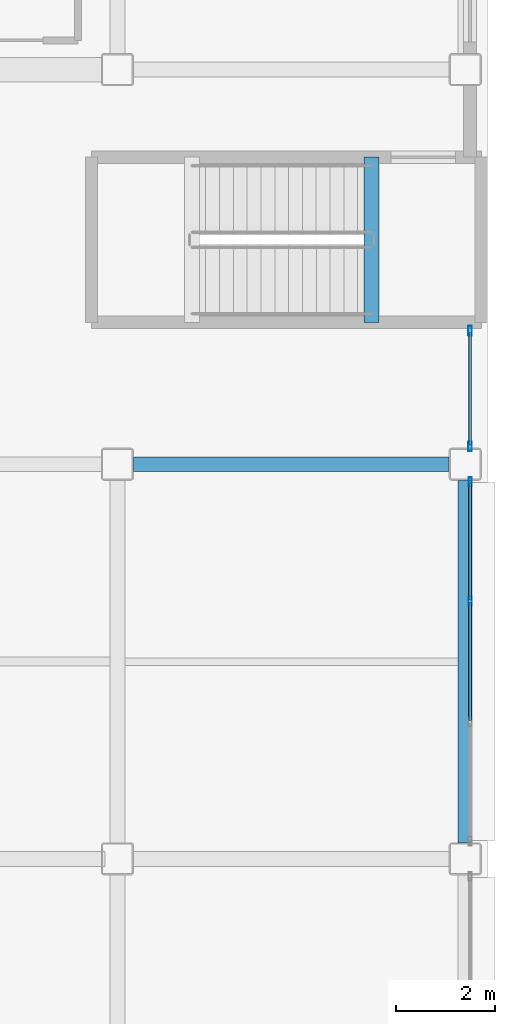
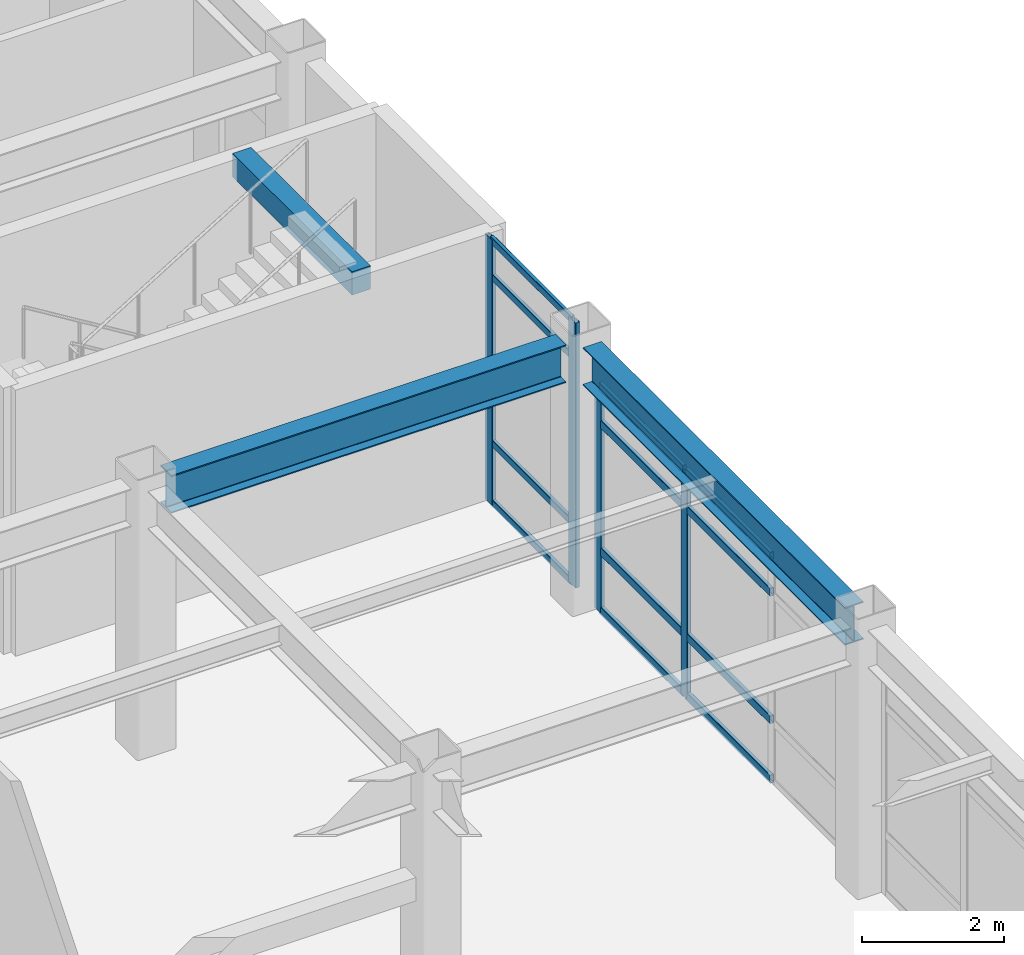
# One storey, part 54 of 93: 16 members, 3 beams, 2 elements without a shape of their own.
"""IFC4 building model written with IfcOpenShell, lengths in metres."""

from ifc_helpers import new_model, si_unit, direction, frame, origin, origin_2d, place, context, subcontext, project, spatial, rectangle, hollow_rectangle, i_section, extrude, material, layer, layer_set, material_profile, profile_set, type_object, element, aggregate, save


model = new_model("IFC4")

# Units and contexts
model_context = context("Model", 3, precision=1e-05, world=origin(), true_north=direction((0.0, 1.0)))
body_context = subcontext(model_context, "Body", "Model", "MODEL_VIEW")
ifc_project = project(units=[si_unit("LENGTHUNIT", "METRE"), si_unit("AREAUNIT", "SQUARE_METRE"), si_unit("VOLUMEUNIT", "CUBIC_METRE"), si_unit("PLANEANGLEUNIT", "RADIAN"), si_unit("MASSUNIT", "GRAM", prefix="KILO")], contexts=[model_context])

# Site, building, storey
site_placement = place(None, origin())
site = spatial("IfcSite", under=ifc_project, at=site_placement, CompositionType="ELEMENT")
building_placement = place(site_placement, origin())
building = spatial("IfcBuilding", under=site, at=building_placement, Name="Kazehara Bluff Congress Hotel", CompositionType="ELEMENT")
storey_placement = place(building_placement, frame((0.0, 0.0, 15.0)))
storey = spatial("IfcBuildingStorey", under=building, at=storey_placement, Name="L03", CompositionType="ELEMENT", Elevation=15.0)

# Curtain wall, members
ifc_material_1 = material(Name="Anodised aluminium", Category="aluminium")
ifc_layer_1 = layer(ifc_material_1, 0.159912109375)
ifc_layer_set_1 = layer_set([ifc_layer_1], Name="Anodised aluminium")
curtain_wall_type_1 = type_object("IfcCurtainWallType", Name="TP-CW-56", PredefinedType="NOTDEFINED", material=ifc_layer_set_1)
curtain_wall_1_placement = place(storey_placement, origin())
curtain_wall_1 = element("IfcCurtainWall", 1, at=curtain_wall_1_placement, inside=storey, type_object=curtain_wall_type_1, Name="L03 curtain wall CW-56 CW-ENC-V5-L03-16765-1200", PredefinedType="NOTDEFINED")
ifc_material_2 = material(Name="Anodised aluminium", Category="aluminium")
ifc_material_profile_1 = material_profile(ifc_material_2, hollow_rectangle(XDim=0.06494140625, YDim=0.179931640625, WallThickness=0.00390625, InnerFilletRadius=0.00390625, OuterFilletRadius=0.008056640625, at=origin_2d()))
ifc_profile_set_1 = profile_set([ifc_material_profile_1], Name="Anodised aluminium")
member_type_1 = type_object("IfcMemberType", Name="TP-CWM-02", PredefinedType="MULLION", material=ifc_profile_set_1)
member_1_placement = place(storey_placement, frame((167.64990234375, 15.642578125, 0.0), z_axis=(0.0, 0.0, 1.0), x_axis=(1.0, 0.0, 0.0)))
member_1 = element("IfcMember", 2, at=member_1_placement, type_object=member_type_1, Name="CW-56 mullion 1", PredefinedType="MULLION", context=body_context, shape_type="SweptSolid", body=[
    extrude(hollow_rectangle(XDim=0.06494140625, YDim=0.179931640625, WallThickness=0.00390625, InnerFilletRadius=0.00390625, OuterFilletRadius=0.008056640625, at=origin_2d()), origin(), (0.0, 0.0, 1.0), 3.885009765625),
])
member_2_placement = place(storey_placement, frame((167.64990234375, 13.22509765625, 0.0), z_axis=(0.0, 0.0, 1.0), x_axis=(1.0, 0.0, 0.0)))
member_2 = element("IfcMember", 3, at=member_2_placement, type_object=member_type_1, Name="CW-56 mullion 2", PredefinedType="MULLION", context=body_context, shape_type="SweptSolid", body=[
    extrude(hollow_rectangle(XDim=0.06494140625, YDim=0.179931640625, WallThickness=0.00390625, InnerFilletRadius=0.00390625, OuterFilletRadius=0.008056640625, at=origin_2d()), origin(), (0.0, 0.0, 1.0), 3.885009765625),
])

ifc_material_3 = material(Name="Anodised aluminium", Category="aluminium")
ifc_layer_2 = layer(ifc_material_3, 0.159912109375)
ifc_layer_set_2 = layer_set([ifc_layer_2], Name="Anodised aluminium")
curtain_wall_type_2 = type_object("IfcCurtainWallType", Name="TP-CW-146", PredefinedType="NOTDEFINED", material=ifc_layer_set_2)
curtain_wall_2_placement = place(storey_placement, origin())
curtain_wall_2 = element("IfcCurtainWall", 4, at=curtain_wall_2_placement, inside=storey, type_object=curtain_wall_type_2, Name="L03 curtain wall CW-146 CW-ENC-V5-L03-16765-1753", PredefinedType="NOTDEFINED")
ifc_material_4 = material(Name="Anodised aluminium", Category="aluminium")
ifc_material_profile_2 = material_profile(ifc_material_4, hollow_rectangle(XDim=0.070068359375, YDim=0.199951171875, WallThickness=0.0048828125, InnerFilletRadius=0.0048828125, OuterFilletRadius=0.010009765625, at=origin_2d()))
ifc_profile_set_2 = profile_set([ifc_material_profile_2], Name="Anodised aluminium")
member_type_2 = type_object("IfcMemberType", Name="TP-CWM-03", PredefinedType="MULLION", material=ifc_profile_set_2)
member_3_placement = place(storey_placement, frame((167.64990234375, 18.705078125, 0.0), z_axis=(0.0, 0.0, 1.0), x_axis=(1.0, 0.0, 0.0)))
member_3 = element("IfcMember", 5, at=member_3_placement, type_object=member_type_2, Name="CW-146 mullion 1", PredefinedType="MULLION", context=body_context, shape_type="SweptSolid", body=[
    extrude(hollow_rectangle(XDim=0.070068359375, YDim=0.199951171875, WallThickness=0.0048828125, InnerFilletRadius=0.0048828125, OuterFilletRadius=0.010009765625, at=origin_2d()), origin(), (0.0, 0.0, 1.0), 4.544921875),
])
member_4_placement = place(storey_placement, frame((167.64990234375, 16.360107421875, 0.0), z_axis=(0.0, 0.0, 1.0), x_axis=(1.0, 0.0, 0.0)))
member_4 = element("IfcMember", 6, at=member_4_placement, type_object=member_type_2, Name="CW-146 mullion 2", PredefinedType="MULLION", context=body_context, shape_type="SweptSolid", body=[
    extrude(hollow_rectangle(XDim=0.070068359375, YDim=0.199951171875, WallThickness=0.0048828125, InnerFilletRadius=0.0048828125, OuterFilletRadius=0.010009765625, at=origin_2d()), origin(), (0.0, 0.0, 1.0), 4.544921875),
])
ifc_material_5 = material(Name="Anodised aluminium", Category="aluminium")
ifc_material_profile_3 = material_profile(ifc_material_5, hollow_rectangle(XDim=0.06005859375, YDim=0.1201171875, WallThickness=0.00390625, InnerFilletRadius=0.00390625, OuterFilletRadius=0.008056640625, at=origin_2d()))
ifc_profile_set_3 = profile_set([ifc_material_profile_3], Name="Anodised aluminium")
member_type_3 = type_object("IfcMemberType", Name="TP-CWT-01", PredefinedType="USERDEFINED", material=ifc_profile_set_3)
member_5_placement = place(storey_placement, frame((167.64990234375, 18.669921875, 0.030029296875), z_axis=(0.0, -1.0, 0.0), x_axis=(1.0, 0.0, 0.0)))
member_5 = element("IfcMember", 7, at=member_5_placement, type_object=member_type_3, Name="CW-146 transom 1.1", ObjectType="TRANSOM", PredefinedType="USERDEFINED", context=body_context, shape_type="SweptSolid", body=[
    extrude(hollow_rectangle(XDim=0.06005859375, YDim=0.1201171875, WallThickness=0.00390625, InnerFilletRadius=0.00390625, OuterFilletRadius=0.008056640625, at=origin_2d()), origin(), (0.0, 0.0, 1.0), 2.27490234375),
])
member_6_placement = place(storey_placement, frame((167.64990234375, 18.669921875, 1.050048828125), z_axis=(0.0, -1.0, 0.0), x_axis=(1.0, 0.0, 0.0)))
member_6 = element("IfcMember", 8, at=member_6_placement, type_object=member_type_3, Name="CW-146 transom 1.2", ObjectType="TRANSOM", PredefinedType="USERDEFINED", context=body_context, shape_type="SweptSolid", body=[
    extrude(hollow_rectangle(XDim=0.06005859375, YDim=0.1201171875, WallThickness=0.00390625, InnerFilletRadius=0.00390625, OuterFilletRadius=0.008056640625, at=origin_2d()), origin(), (0.0, 0.0, 1.0), 2.27490234375),
])
member_7_placement = place(storey_placement, frame((167.64990234375, 18.669921875, 3.89501953125), z_axis=(0.0, -1.0, 0.0), x_axis=(1.0, 0.0, 0.0)))
member_7 = element("IfcMember", 9, at=member_7_placement, type_object=member_type_3, Name="CW-146 transom 1.3", ObjectType="TRANSOM", PredefinedType="USERDEFINED", context=body_context, shape_type="SweptSolid", body=[
    extrude(hollow_rectangle(XDim=0.06005859375, YDim=0.1201171875, WallThickness=0.00390625, InnerFilletRadius=0.00390625, OuterFilletRadius=0.008056640625, at=origin_2d()), origin(), (0.0, 0.0, 1.0), 2.27490234375),
])
member_8_placement = place(storey_placement, frame((167.64990234375, 18.669921875, 4.514892578125), z_axis=(0.0, -1.0, 0.0), x_axis=(1.0, 0.0, 0.0)))
member_8 = element("IfcMember", 10, at=member_8_placement, type_object=member_type_3, Name="CW-146 transom 1.4", ObjectType="TRANSOM", PredefinedType="USERDEFINED", context=body_context, shape_type="SweptSolid", body=[
    extrude(hollow_rectangle(XDim=0.06005859375, YDim=0.1201171875, WallThickness=0.00390625, InnerFilletRadius=0.00390625, OuterFilletRadius=0.008056640625, at=origin_2d()), origin(), (0.0, 0.0, 1.0), 2.27490234375),
])
aggregate(curtain_wall_2, [member_3, member_4, member_5, member_6, member_7, member_8])

# Member
ifc_material_6 = material(Name="Anodised aluminium", Category="aluminium")
ifc_material_profile_4 = material_profile(ifc_material_6, hollow_rectangle(XDim=0.06494140625, YDim=0.139892578125, WallThickness=0.00390625, InnerFilletRadius=0.00390625, OuterFilletRadius=0.008056640625, at=origin_2d()))
ifc_profile_set_4 = profile_set([ifc_material_profile_4], Name="Anodised aluminium")
member_type_4 = type_object("IfcMemberType", Name="TP-CWT-02", PredefinedType="USERDEFINED", material=ifc_profile_set_4)
member_9_placement = place(storey_placement, frame((167.64990234375, 15.610107421875, 0.032470703125), z_axis=(0.0, -1.0, 0.0), x_axis=(1.0, 0.0, 0.0)))
member_9 = element("IfcMember", 11, at=member_9_placement, type_object=member_type_4, Name="CW-56 transom 1.1", ObjectType="TRANSOM", PredefinedType="USERDEFINED", context=body_context, shape_type="SweptSolid", body=[
    extrude(hollow_rectangle(XDim=0.06494140625, YDim=0.139892578125, WallThickness=0.00390625, InnerFilletRadius=0.00390625, OuterFilletRadius=0.008056640625, at=origin_2d()), origin(), (0.0, 0.0, 1.0), 2.3525390625),
])

member_10_placement = place(storey_placement, frame((167.64990234375, 15.610107421875, 1.050048828125), z_axis=(0.0, -1.0, 0.0), x_axis=(1.0, 0.0, 0.0)))
member_10 = element("IfcMember", 12, at=member_10_placement, type_object=member_type_4, Name="CW-56 transom 1.2", ObjectType="TRANSOM", PredefinedType="USERDEFINED", context=body_context, shape_type="SweptSolid", body=[
    extrude(hollow_rectangle(XDim=0.06494140625, YDim=0.139892578125, WallThickness=0.00390625, InnerFilletRadius=0.00390625, OuterFilletRadius=0.008056640625, at=origin_2d()), origin(), (0.0, 0.0, 1.0), 2.3525390625),
])

member_11_placement = place(storey_placement, frame((167.64990234375, 15.610107421875, 3.235107421875), z_axis=(0.0, -1.0, 0.0), x_axis=(1.0, 0.0, 0.0)))
member_11 = element("IfcMember", 13, at=member_11_placement, type_object=member_type_4, Name="CW-56 transom 1.3", ObjectType="TRANSOM", PredefinedType="USERDEFINED", context=body_context, shape_type="SweptSolid", body=[
    extrude(hollow_rectangle(XDim=0.06494140625, YDim=0.139892578125, WallThickness=0.00390625, InnerFilletRadius=0.00390625, OuterFilletRadius=0.008056640625, at=origin_2d()), origin(), (0.0, 0.0, 1.0), 2.3525390625),
])

member_12_placement = place(storey_placement, frame((167.64990234375, 15.610107421875, 3.8525390625), z_axis=(0.0, -1.0, 0.0), x_axis=(1.0, 0.0, 0.0)))
member_12 = element("IfcMember", 14, at=member_12_placement, type_object=member_type_4, Name="CW-56 transom 1.4", ObjectType="TRANSOM", PredefinedType="USERDEFINED", context=body_context, shape_type="SweptSolid", body=[
    extrude(hollow_rectangle(XDim=0.06494140625, YDim=0.139892578125, WallThickness=0.00390625, InnerFilletRadius=0.00390625, OuterFilletRadius=0.008056640625, at=origin_2d()), origin(), (0.0, 0.0, 1.0), 2.3525390625),
])

member_13_placement = place(storey_placement, frame((167.64990234375, 13.1923828125, 0.032470703125), z_axis=(0.0, -1.0, 0.0), x_axis=(1.0, 0.0, 0.0)))
member_13 = element("IfcMember", 15, at=member_13_placement, type_object=member_type_4, Name="CW-56 transom 2.1", ObjectType="TRANSOM", PredefinedType="USERDEFINED", context=body_context, shape_type="SweptSolid", body=[
    extrude(hollow_rectangle(XDim=0.06494140625, YDim=0.139892578125, WallThickness=0.00390625, InnerFilletRadius=0.00390625, OuterFilletRadius=0.008056640625, at=origin_2d()), origin(), (0.0, 0.0, 1.0), 2.384765625),
])

member_14_placement = place(storey_placement, frame((167.64990234375, 13.1923828125, 1.050048828125), z_axis=(0.0, -1.0, 0.0), x_axis=(1.0, 0.0, 0.0)))
member_14 = element("IfcMember", 16, at=member_14_placement, type_object=member_type_4, Name="CW-56 transom 2.2", ObjectType="TRANSOM", PredefinedType="USERDEFINED", context=body_context, shape_type="SweptSolid", body=[
    extrude(hollow_rectangle(XDim=0.06494140625, YDim=0.139892578125, WallThickness=0.00390625, InnerFilletRadius=0.00390625, OuterFilletRadius=0.008056640625, at=origin_2d()), origin(), (0.0, 0.0, 1.0), 2.384765625),
])

member_15_placement = place(storey_placement, frame((167.64990234375, 13.1923828125, 3.235107421875), z_axis=(0.0, -1.0, 0.0), x_axis=(1.0, 0.0, 0.0)))
member_15 = element("IfcMember", 17, at=member_15_placement, type_object=member_type_4, Name="CW-56 transom 2.3", ObjectType="TRANSOM", PredefinedType="USERDEFINED", context=body_context, shape_type="SweptSolid", body=[
    extrude(hollow_rectangle(XDim=0.06494140625, YDim=0.139892578125, WallThickness=0.00390625, InnerFilletRadius=0.00390625, OuterFilletRadius=0.008056640625, at=origin_2d()), origin(), (0.0, 0.0, 1.0), 2.384765625),
])

member_16_placement = place(storey_placement, frame((167.64990234375, 13.1923828125, 3.8525390625), z_axis=(0.0, -1.0, 0.0), x_axis=(1.0, 0.0, 0.0)))
member_16 = element("IfcMember", 18, at=member_16_placement, type_object=member_type_4, Name="CW-56 transom 2.4", ObjectType="TRANSOM", PredefinedType="USERDEFINED", context=body_context, shape_type="SweptSolid", body=[
    extrude(hollow_rectangle(XDim=0.06494140625, YDim=0.139892578125, WallThickness=0.00390625, InnerFilletRadius=0.00390625, OuterFilletRadius=0.008056640625, at=origin_2d()), origin(), (0.0, 0.0, 1.0), 2.384765625),
])

aggregate(curtain_wall_1, [member_1, member_2, member_9, member_10, member_11, member_12, member_13, member_14, member_15, member_16])

# Beams
ifc_material_7 = material(Name="Steel SN490B", Category="steel")
ifc_material_profile_5 = material_profile(ifc_material_7, i_section(OverallWidth=0.300048828125, OverallDepth=0.64990234375, WebThickness=0.011962890625, FlangeThickness=0.02001953125, FilletRadius=0.012939453125, at=origin_2d()))
ifc_profile_set_5 = profile_set([ifc_material_profile_5], Name="Steel SN490B")
beam_type_1 = type_object("IfcBeamType", Name="TP-G-03", PredefinedType="BEAM", material=ifc_profile_set_5)
beam_1_placement = place(storey_placement, frame((167.550048828125, 8.324951171875, 4.235107421875), z_axis=(0.0, 1.0, 0.0), x_axis=(-1.0, 0.0, 0.0)))
element("IfcBeam", 19, at=beam_1_placement, inside=storey, type_object=beam_type_1, Name="L03 girder G-03 141", PredefinedType="BEAM", context=body_context, shape_type="SweptSolid", body=[
    extrude(i_section(OverallWidth=0.300048828125, OverallDepth=0.64990234375, WebThickness=0.011962890625, FlangeThickness=0.02001953125, FilletRadius=0.012939453125, at=origin_2d()), origin(), (0.0, 0.0, 1.0), 7.35009765625),
])
beam_2_placement = place(storey_placement, frame((160.824951171875, 16.0, 4.235107421875), z_axis=(1.0, 0.0, 0.0), x_axis=(0.0, 1.0, 0.0)))
element("IfcBeam", 20, at=beam_2_placement, inside=storey, type_object=beam_type_1, Name="L03 girder G-03 163", PredefinedType="BEAM", context=body_context, shape_type="SweptSolid", body=[
    extrude(i_section(OverallWidth=0.300048828125, OverallDepth=0.64990234375, WebThickness=0.011962890625, FlangeThickness=0.02001953125, FilletRadius=0.012939453125, at=origin_2d()), origin(), (0.0, 0.0, 1.0), 6.400146484375),
])
ifc_material_8 = material(Name="Concrete C40/50", Category="concrete")
ifc_material_profile_6 = material_profile(ifc_material_8, rectangle(XDim=0.300048828125, YDim=0.39990234375, at=origin_2d()))
ifc_profile_set_6 = profile_set([ifc_material_profile_6], Name="Concrete C40/50")
beam_type_2 = type_object("IfcBeamType", Name="TP-LN-02", PredefinedType="LINTEL", material=ifc_profile_set_6)
beam_3_placement = place(storey_placement, frame((165.64990234375, 22.22509765625, 4.3798828125), z_axis=(0.0, -1.0, 0.0), x_axis=(1.0, 0.0, 0.0)))
element("IfcBeam", 21, at=beam_3_placement, inside=storey, type_object=beam_type_2, Name="L04 ST-10 stairwell trimmer beam", PredefinedType="LINTEL", context=body_context, shape_type="SweptSolid", body=[
    extrude(rectangle(XDim=0.300048828125, YDim=0.39990234375, at=origin_2d()), origin(), (0.0, 0.0, 1.0), 3.35009765625),
])

save(model, "model.ifc")
